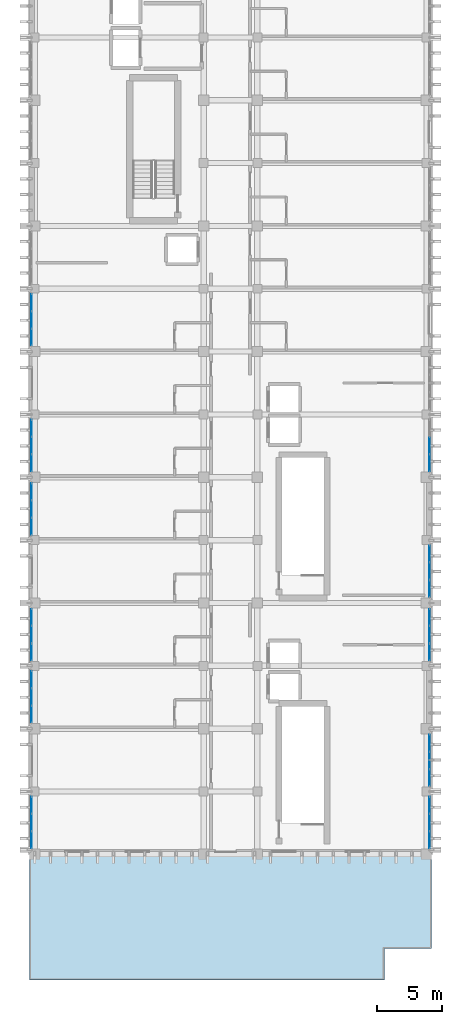
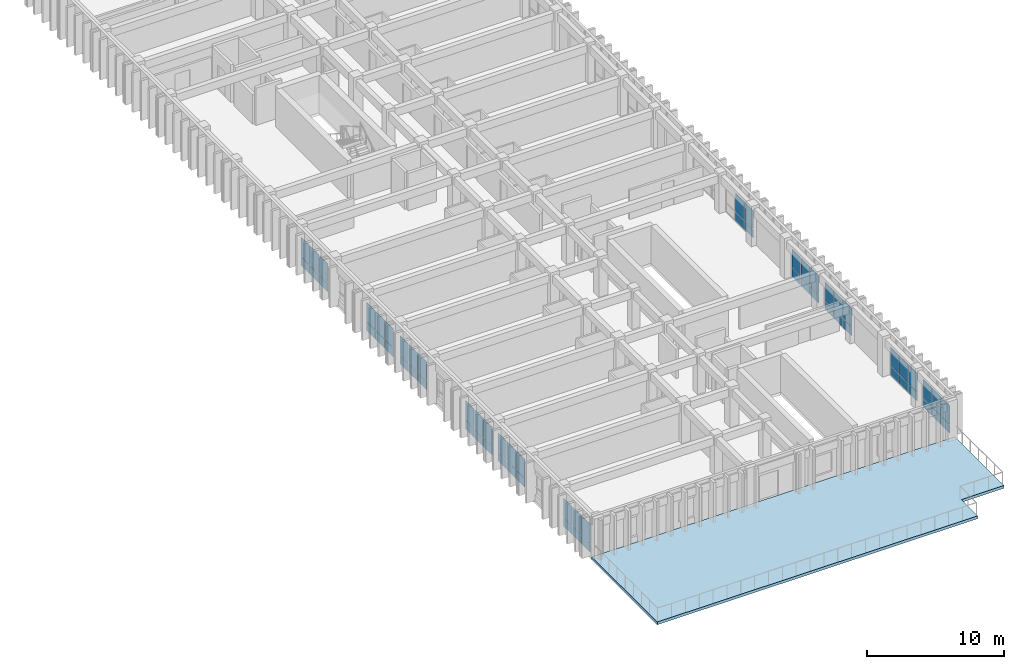
# One storey, part 52 of 68: 64 plates, 1 slab, 11 elements without a shape of their own.
"""IFC4 building model written with IfcOpenShell, lengths in metres."""

import ifcopenshell
import ifcopenshell.guid

model = None  # the IFC model being written
_history = None  # IfcOwnerHistory: only IFC2X3 demands one
_inside = {}  # id of a spatial element -> (the spatial element, [elements in it])
_under = {}  # id of a project, library or spatial element -> (it, [spatial elements below it])
_declared = {}  # id of a project -> (the project, [libraries it declares])
_typed = {}  # id of a type object -> (the type object, [elements of that type])
_made_of = {}  # id of a material, layer set ... -> (it, [elements and type objects made of it])


def new_model(schema):
    """Start an empty IFC model of exactly this schema.

    Asked for "IFC4X3", IfcOpenShell would pick the latest addendum, in which some entities
    have other attributes; the version numbers below select the first issue.
    IFC2X3 requires an IfcOwnerHistory on every rooted entity: one is made here for all.
    """
    global model, _history
    if schema == "IFC4X3":
        model = ifcopenshell.file(schema_version=(4, 3, 0, 0))
    else:
        model = ifcopenshell.file(schema=schema)
    _inside.clear()
    _under.clear()
    _declared.clear()
    _typed.clear()
    _made_of.clear()
    _history = None
    if model.schema == "IFC2X3":
        org = make("IfcOrganization", Name="unknown")
        user = make(
            "IfcPersonAndOrganization",
            ThePerson=make("IfcPerson", FamilyName="unknown"),
            TheOrganization=org,
        )
        app = make(
            "IfcApplication",
            ApplicationDeveloper=org,
            Version="unknown",
            ApplicationFullName="unknown",
            ApplicationIdentifier="unknown",
        )
        _history = make(
            "IfcOwnerHistory",
            OwningUser=user,
            OwningApplication=app,
            ChangeAction="ADDED",
            CreationDate=0,
        )
    return model


def make(cls, **values):
    """One entity of the class cls with the attributes given. An attribute that is None is left unset."""
    return model.create_entity(
        cls, **{name: value for name, value in values.items() if value is not None}
    )


def rooted(cls, **values):
    """An entity with a GlobalId (a new one), such as an element, a storey or a relation."""
    return make(cls, GlobalId=ifcopenshell.guid.new(), OwnerHistory=_history, **values)


def si_unit(unit_type, name, prefix=None):
    """IfcSIUnit, for example si_unit("LENGTHUNIT", "METRE", prefix="MILLI")."""
    return make("IfcSIUnit", UnitType=unit_type, Prefix=prefix, Name=name)


def assignment(units):
    """IfcUnitAssignment: the units of a project."""
    return None if units is None else make("IfcUnitAssignment", Units=units)


def point(xyz):
    """IfcCartesianPoint."""
    return None if xyz is None else make("IfcCartesianPoint", Coordinates=xyz)


def direction(xyz):
    """IfcDirection."""
    return None if xyz is None else make("IfcDirection", DirectionRatios=xyz)


def frame(location, z_axis=None, x_axis=None):
    """IfcAxis2Placement3D, a coordinate frame: its origin and axes. An axis left out is left unset."""
    return make(
        "IfcAxis2Placement3D",
        Location=point(location),
        Axis=direction(z_axis),
        RefDirection=direction(x_axis),
    )


def frame_2d(location, x_axis=None):
    """IfcAxis2Placement2D, a coordinate frame in the plane: its origin and x axis."""
    return make(
        "IfcAxis2Placement2D", Location=point(location), RefDirection=direction(x_axis)
    )


def origin():
    """The frame at (0, 0, 0) with its axes left unset."""
    return frame((0.0, 0.0, 0.0))


def origin_2d():
    """The frame at (0, 0) in the plane with its x axis left unset."""
    return frame_2d((0.0, 0.0))


def place(relative_to, where):
    """IfcLocalPlacement: puts the frame where relative to a parent placement (None: the world)."""
    return make(
        "IfcLocalPlacement", PlacementRelTo=relative_to, RelativePlacement=where
    )


def context(
    kind, dimensions, precision=None, world=None, true_north=None, identifier=None
):
    """IfcGeometricRepresentationContext, for example the 3D "Model" context."""
    return make(
        "IfcGeometricRepresentationContext",
        ContextIdentifier=identifier,
        ContextType=kind,
        CoordinateSpaceDimension=dimensions,
        Precision=precision,
        WorldCoordinateSystem=world,
        TrueNorth=true_north,
    )


def subcontext(parent, identifier, kind, view, scale=None):
    """IfcGeometricRepresentationSubContext, for example "Body" below "Model"."""
    return make(
        "IfcGeometricRepresentationSubContext",
        ContextIdentifier=identifier,
        ContextType=kind,
        ParentContext=parent,
        TargetScale=scale,
        TargetView=view,
    )


def project(units=None, contexts=None):
    """IfcProject with its units and contexts."""
    return rooted(
        "IfcProject",
        Name="project",
        RepresentationContexts=contexts,
        UnitsInContext=assignment(units),
    )


def spatial(cls, under=None, at=None, **own):
    """A site, building, storey or space (cls), placed at a placement, below another one or the project."""
    s = rooted(cls, ObjectPlacement=at, **own)
    if under is not None:
        _under.setdefault(under.id(), (under, []))[1].append(s)
    return s


def polyline(points):
    """IfcPolyline through the points."""
    return make("IfcPolyline", Points=[point(p) for p in points])


def profile(cls, at=None, kind="AREA", **sizes):
    """A parametric profile (cls). Its sizes go by their IFC names, for example OverallWidth=200.0."""
    return make(cls, ProfileType=kind, Position=at, **sizes)


def rectangle(**sizes):
    """IfcRectangleProfileDef."""
    return profile("IfcRectangleProfileDef", **sizes)


def outline(outer, holes=None, kind="AREA"):
    """IfcArbitraryClosedProfileDef: a profile drawn as a closed curve; with holes, ...WithVoids."""
    if holes is None:
        return make("IfcArbitraryClosedProfileDef", ProfileType=kind, OuterCurve=outer)
    return make(
        "IfcArbitraryProfileDefWithVoids",
        ProfileType=kind,
        OuterCurve=outer,
        InnerCurves=holes,
    )


def extrude(swept, where, along, depth):
    """IfcExtrudedAreaSolid: the profile swept, set in the frame where, extruded along a direction by depth."""
    return make(
        "IfcExtrudedAreaSolid",
        SweptArea=swept,
        Position=where,
        ExtrudedDirection=direction(along),
        Depth=depth,
    )


def shape(context_of_items, identifier, shape_type, items):
    """IfcShapeRepresentation: the items that make up one representation, for example the "Body"."""
    return make(
        "IfcShapeRepresentation",
        ContextOfItems=context_of_items,
        RepresentationIdentifier=identifier,
        RepresentationType=shape_type,
        Items=items,
    )


def material(Name=None, Category=None):
    """IfcMaterial."""
    return make("IfcMaterial", Name=Name, Category=Category)


def layer(
    of_material, thickness, ventilated=None, Name=None, Category=None, Priority=None
):
    """IfcMaterialLayer: one layer of a wall or slab, of a material (None: an air gap)."""
    return make(
        "IfcMaterialLayer",
        Material=of_material,
        LayerThickness=thickness,
        IsVentilated=ventilated,
        Name=Name,
        Category=Category,
        Priority=Priority,
    )


def layer_set(layers, Name=None):
    """IfcMaterialLayerSet."""
    return make("IfcMaterialLayerSet", MaterialLayers=layers, LayerSetName=Name)


def made_of(thing, what):
    """Note that an element or type object is made of a material, layer set ...; save() writes the relation."""
    if what is not None:
        _made_of.setdefault(what.id(), (what, []))[1].append(thing)
    return thing


def type_object(cls, material=None, **own):
    """A type object (cls), such as IfcWallType, which elements share."""
    return made_of(rooted(cls, **own), material)


def element(
    cls,
    number,
    at=None,
    inside=None,
    cuts=None,
    type_object=None,
    material=None,
    context=None,
    identifier="Body",
    shape_type=None,
    held_by="IfcProductDefinitionShape",
    body=None,
    shapes=None,
    **own,
):
    """One element of the class cls, such as IfcWall. Its Tag is "e" and its number.

    at: its placement. inside: the storey or other place that contains it. cuts: it is an
    opening in that element (IfcRelVoidsElement). A single representation is given by context,
    identifier, shape_type and body (its items); several are given by shapes. held_by: the class
    of the entity that holds the representations. save() writes the other relations.
    """
    e = rooted(cls, Tag="e%d" % number, ObjectPlacement=at, **own)
    if body is not None:
        shapes = [shape(context, identifier, shape_type, body)]
    if shapes is not None:
        e.Representation = make(held_by, Representations=shapes)
    if inside is not None:
        _inside.setdefault(inside.id(), (inside, []))[1].append(e)
    if cuts is not None:
        rooted(
            "IfcRelVoidsElement", RelatingBuildingElement=cuts, RelatedOpeningElement=e
        )
    if type_object is not None:
        _typed.setdefault(type_object.id(), (type_object, []))[1].append(e)
    return made_of(e, material)


def aggregate(whole, parts):
    """IfcRelAggregates: a whole, such as a stair, and the parts it consists of."""
    return rooted("IfcRelAggregates", RelatingObject=whole, RelatedObjects=parts)


def save(model, path):
    """Write the relations noted so far, then the file.

    IfcRelAggregates (storeys below a building ...), IfcRelContainedInSpatialStructure (elements
    in a storey), IfcRelDefinesByType, IfcRelAssociatesMaterial and IfcRelDeclares: one each for
    every whole, place, type object, material and project.
    """
    for whole, parts in _under.values():
        aggregate(whole, parts)
    for where, things in _inside.values():
        rooted(
            "IfcRelContainedInSpatialStructure",
            RelatedElements=things,
            RelatingStructure=where,
        )
    for kind, things in _typed.values():
        rooted("IfcRelDefinesByType", RelatedObjects=things, RelatingType=kind)
    for what, things in _made_of.values():
        rooted("IfcRelAssociatesMaterial", RelatedObjects=things, RelatingMaterial=what)
    for by, libraries in _declared.values():
        rooted("IfcRelDeclares", RelatingContext=by, RelatedDefinitions=libraries)
    model.write(path)


model = new_model("IFC4")

# Units and contexts
model_context = context("Model", 3, precision=1e-05, world=origin(), true_north=direction((0.0, 1.0)))
body_context = subcontext(model_context, "Body", "Model", "MODEL_VIEW")
ifc_project = project(units=[si_unit("LENGTHUNIT", "METRE"), si_unit("AREAUNIT", "SQUARE_METRE"), si_unit("VOLUMEUNIT", "CUBIC_METRE"), si_unit("PLANEANGLEUNIT", "RADIAN"), si_unit("MASSUNIT", "GRAM", prefix="KILO")], contexts=[model_context])

# Site, building, storey
site_placement = place(None, origin())
site = spatial("IfcSite", under=ifc_project, at=site_placement, CompositionType="ELEMENT")
building_placement = place(site_placement, origin())
building = spatial("IfcBuilding", under=site, at=building_placement, Name="Nakhvara Creek Congress Hotel", CompositionType="ELEMENT")
storey_placement = place(building_placement, frame((0.0, 0.0, 24.60009765625)))
storey = spatial("IfcBuildingStorey", under=building, at=storey_placement, Name="L05", CompositionType="ELEMENT", Elevation=24.60009765625)

# Curtain wall, plates
ifc_material_1 = material(Name="Bronze-anodised aluminium AW-6063-T6 and double-silver low-E glass", Category="aluminium")
ifc_layer_1 = layer(ifc_material_1, 0.199951171875)
ifc_layer_set_1 = layer_set([ifc_layer_1], Name="Bronze-anodised aluminium AW-6063-T6 and double-silver low-E glass")
curtain_wall_type = type_object("IfcCurtainWallType", Name="CW-HTL-UNIT", PredefinedType="USERDEFINED", material=ifc_layer_set_1)
curtain_wall_1_placement = place(storey_placement, origin())
curtain_wall_1 = element("IfcCurtainWall", 1, at=curtain_wall_1_placement, inside=storey, type_object=curtain_wall_type, Name="Curtain Wall CW202", ObjectType="UNITISED", PredefinedType="USERDEFINED")
ifc_material_2 = material(Name="Double-silver solar-control low-E insulated glass", Category="glass")
plate_type_1 = type_object("IfcPlateType", Name="PNL-GLZ-120X250", PredefinedType="CURTAIN_PANEL", material=ifc_material_2)
plate_1_placement = place(storey_placement, frame((179.60009765625, 32.555419921875, 0.06494140625), z_axis=(0.0, 0.0, 1.0), x_axis=(0.0, -1.0, 0.0)))
plate_1 = element("IfcPlate", 2, at=plate_1_placement, type_object=plate_type_1, Name="CW202 panel 1.1", PredefinedType="CURTAIN_PANEL", context=body_context, shape_type="SweptSolid", body=[
    extrude(rectangle(XDim=1.249267578125, YDim=0.028076171875, at=origin_2d()), origin(), (0.0, 0.0, 1.0), 0.75244140625),
])
plate_2_placement = place(storey_placement, frame((179.60009765625, 32.555419921875, 0.88232421875), z_axis=(0.0, 0.0, 1.0), x_axis=(0.0, -1.0, 0.0)))
plate_2 = element("IfcPlate", 3, at=plate_2_placement, type_object=plate_type_1, Name="CW202 panel 1.2", PredefinedType="CURTAIN_PANEL", context=body_context, shape_type="SweptSolid", body=[
    extrude(rectangle(XDim=1.249267578125, YDim=0.028076171875, at=origin_2d()), origin(), (0.0, 0.0, 1.0), 1.634521484375),
])
plate_3_placement = place(storey_placement, frame((179.60009765625, 31.22509765625, 0.06494140625), z_axis=(0.0, 0.0, 1.0), x_axis=(0.0, -1.0, 0.0)))
plate_3 = element("IfcPlate", 4, at=plate_3_placement, type_object=plate_type_1, Name="CW202 panel 2.1", PredefinedType="CURTAIN_PANEL", context=body_context, shape_type="SweptSolid", body=[
    extrude(rectangle(XDim=1.28173828125, YDim=0.028076171875, at=origin_2d()), origin(), (0.0, 0.0, 1.0), 0.75244140625),
])
plate_4_placement = place(storey_placement, frame((179.60009765625, 31.22509765625, 0.88232421875), z_axis=(0.0, 0.0, 1.0), x_axis=(0.0, -1.0, 0.0)))
plate_4 = element("IfcPlate", 5, at=plate_4_placement, type_object=plate_type_1, Name="CW202 panel 2.2", PredefinedType="CURTAIN_PANEL", context=body_context, shape_type="SweptSolid", body=[
    extrude(rectangle(XDim=1.28173828125, YDim=0.028076171875, at=origin_2d()), origin(), (0.0, 0.0, 1.0), 1.634521484375),
])
plate_5_placement = place(storey_placement, frame((179.60009765625, 29.89453125, 0.06494140625), z_axis=(0.0, 0.0, 1.0), x_axis=(0.0, -1.0, 0.0)))
plate_5 = element("IfcPlate", 6, at=plate_5_placement, type_object=plate_type_1, Name="CW202 panel 3.1", PredefinedType="CURTAIN_PANEL", context=body_context, shape_type="SweptSolid", body=[
    extrude(rectangle(XDim=1.249267578125, YDim=0.028076171875, at=origin_2d()), origin(), (0.0, 0.0, 1.0), 0.75244140625),
])
plate_6_placement = place(storey_placement, frame((179.60009765625, 29.89453125, 0.88232421875), z_axis=(0.0, 0.0, 1.0), x_axis=(0.0, -1.0, 0.0)))
plate_6 = element("IfcPlate", 7, at=plate_6_placement, type_object=plate_type_1, Name="CW202 panel 3.2", PredefinedType="CURTAIN_PANEL", context=body_context, shape_type="SweptSolid", body=[
    extrude(rectangle(XDim=1.249267578125, YDim=0.028076171875, at=origin_2d()), origin(), (0.0, 0.0, 1.0), 1.634521484375),
])
aggregate(curtain_wall_1, [plate_1, plate_2, plate_3, plate_4, plate_5, plate_6])

curtain_wall_2_placement = place(storey_placement, origin())
curtain_wall_2 = element("IfcCurtainWall", 8, at=curtain_wall_2_placement, inside=storey, type_object=curtain_wall_type, Name="Curtain Wall CW203", ObjectType="UNITISED", PredefinedType="USERDEFINED")
plate_7_placement = place(storey_placement, frame((149.199951171875, 29.89453125, 0.06494140625), z_axis=(0.0, 0.0, 1.0), x_axis=(0.0, 1.0, 0.0)))
plate_7 = element("IfcPlate", 9, at=plate_7_placement, type_object=plate_type_1, Name="CW203 panel 1.1", PredefinedType="CURTAIN_PANEL", context=body_context, shape_type="SweptSolid", body=[
    extrude(rectangle(XDim=1.249267578125, YDim=0.028076171875, at=origin_2d()), origin(), (0.0, 0.0, 1.0), 0.75244140625),
])
plate_8_placement = place(storey_placement, frame((149.199951171875, 29.89453125, 0.88232421875), z_axis=(0.0, 0.0, 1.0), x_axis=(0.0, 1.0, 0.0)))
plate_8 = element("IfcPlate", 10, at=plate_8_placement, type_object=plate_type_1, Name="CW203 panel 1.2", PredefinedType="CURTAIN_PANEL", context=body_context, shape_type="SweptSolid", body=[
    extrude(rectangle(XDim=1.249267578125, YDim=0.028076171875, at=origin_2d()), origin(), (0.0, 0.0, 1.0), 1.6845703125),
])
plate_9_placement = place(storey_placement, frame((149.199951171875, 31.22509765625, 0.06494140625), z_axis=(0.0, 0.0, 1.0), x_axis=(0.0, 1.0, 0.0)))
plate_9 = element("IfcPlate", 11, at=plate_9_placement, type_object=plate_type_1, Name="CW203 panel 2.1", PredefinedType="CURTAIN_PANEL", context=body_context, shape_type="SweptSolid", body=[
    extrude(rectangle(XDim=1.28173828125, YDim=0.028076171875, at=origin_2d()), origin(), (0.0, 0.0, 1.0), 0.75244140625),
])
plate_10_placement = place(storey_placement, frame((149.199951171875, 31.22509765625, 0.88232421875), z_axis=(0.0, 0.0, 1.0), x_axis=(0.0, 1.0, 0.0)))
plate_10 = element("IfcPlate", 12, at=plate_10_placement, type_object=plate_type_1, Name="CW203 panel 2.2", PredefinedType="CURTAIN_PANEL", context=body_context, shape_type="SweptSolid", body=[
    extrude(rectangle(XDim=1.28173828125, YDim=0.028076171875, at=origin_2d()), origin(), (0.0, 0.0, 1.0), 1.6845703125),
])
plate_11_placement = place(storey_placement, frame((149.199951171875, 32.555419921875, 0.06494140625), z_axis=(0.0, 0.0, 1.0), x_axis=(0.0, 1.0, 0.0)))
plate_11 = element("IfcPlate", 13, at=plate_11_placement, type_object=plate_type_1, Name="CW203 panel 3.1", PredefinedType="CURTAIN_PANEL", context=body_context, shape_type="SweptSolid", body=[
    extrude(rectangle(XDim=1.249267578125, YDim=0.028076171875, at=origin_2d()), origin(), (0.0, 0.0, 1.0), 0.75244140625),
])
plate_12_placement = place(storey_placement, frame((149.199951171875, 32.555419921875, 0.88232421875), z_axis=(0.0, 0.0, 1.0), x_axis=(0.0, 1.0, 0.0)))
plate_12 = element("IfcPlate", 14, at=plate_12_placement, type_object=plate_type_1, Name="CW203 panel 3.2", PredefinedType="CURTAIN_PANEL", context=body_context, shape_type="SweptSolid", body=[
    extrude(rectangle(XDim=1.249267578125, YDim=0.028076171875, at=origin_2d()), origin(), (0.0, 0.0, 1.0), 1.6845703125),
])
aggregate(curtain_wall_2, [plate_7, plate_8, plate_9, plate_10, plate_11, plate_12])

curtain_wall_3_placement = place(storey_placement, origin())
curtain_wall_3 = element("IfcCurtainWall", 15, at=curtain_wall_3_placement, inside=storey, type_object=curtain_wall_type, Name="Curtain Wall CW205", ObjectType="UNITISED", PredefinedType="USERDEFINED")
plate_13_placement = place(storey_placement, frame((149.199951171875, 39.49462890625, 0.06494140625), z_axis=(0.0, 0.0, 1.0), x_axis=(0.0, 1.0, 0.0)))
plate_13 = element("IfcPlate", 16, at=plate_13_placement, type_object=plate_type_1, Name="CW205 panel 1.1", PredefinedType="CURTAIN_PANEL", context=body_context, shape_type="SweptSolid", body=[
    extrude(rectangle(XDim=1.249267578125, YDim=0.028076171875, at=origin_2d()), origin(), (0.0, 0.0, 1.0), 0.75244140625),
])
plate_14_placement = place(storey_placement, frame((149.199951171875, 39.49462890625, 0.88232421875), z_axis=(0.0, 0.0, 1.0), x_axis=(0.0, 1.0, 0.0)))
plate_14 = element("IfcPlate", 17, at=plate_14_placement, type_object=plate_type_1, Name="CW205 panel 1.2", PredefinedType="CURTAIN_PANEL", context=body_context, shape_type="SweptSolid", body=[
    extrude(rectangle(XDim=1.249267578125, YDim=0.028076171875, at=origin_2d()), origin(), (0.0, 0.0, 1.0), 1.6845703125),
])
plate_15_placement = place(storey_placement, frame((149.199951171875, 40.824951171875, 0.06494140625), z_axis=(0.0, 0.0, 1.0), x_axis=(0.0, 1.0, 0.0)))
plate_15 = element("IfcPlate", 18, at=plate_15_placement, type_object=plate_type_1, Name="CW205 panel 2.1", PredefinedType="CURTAIN_PANEL", context=body_context, shape_type="SweptSolid", body=[
    extrude(rectangle(XDim=1.28173828125, YDim=0.028076171875, at=origin_2d()), origin(), (0.0, 0.0, 1.0), 0.75244140625),
])
plate_16_placement = place(storey_placement, frame((149.199951171875, 40.824951171875, 0.88232421875), z_axis=(0.0, 0.0, 1.0), x_axis=(0.0, 1.0, 0.0)))
plate_16 = element("IfcPlate", 19, at=plate_16_placement, type_object=plate_type_1, Name="CW205 panel 2.2", PredefinedType="CURTAIN_PANEL", context=body_context, shape_type="SweptSolid", body=[
    extrude(rectangle(XDim=1.28173828125, YDim=0.028076171875, at=origin_2d()), origin(), (0.0, 0.0, 1.0), 1.6845703125),
])
plate_17_placement = place(storey_placement, frame((149.199951171875, 42.155517578125, 0.06494140625), z_axis=(0.0, 0.0, 1.0), x_axis=(0.0, 1.0, 0.0)))
plate_17 = element("IfcPlate", 20, at=plate_17_placement, type_object=plate_type_1, Name="CW205 panel 3.1", PredefinedType="CURTAIN_PANEL", context=body_context, shape_type="SweptSolid", body=[
    extrude(rectangle(XDim=1.249267578125, YDim=0.028076171875, at=origin_2d()), origin(), (0.0, 0.0, 1.0), 0.75244140625),
])
plate_18_placement = place(storey_placement, frame((149.199951171875, 42.155517578125, 0.88232421875), z_axis=(0.0, 0.0, 1.0), x_axis=(0.0, 1.0, 0.0)))
plate_18 = element("IfcPlate", 21, at=plate_18_placement, type_object=plate_type_1, Name="CW205 panel 3.2", PredefinedType="CURTAIN_PANEL", context=body_context, shape_type="SweptSolid", body=[
    extrude(rectangle(XDim=1.249267578125, YDim=0.028076171875, at=origin_2d()), origin(), (0.0, 0.0, 1.0), 1.6845703125),
])
aggregate(curtain_wall_3, [plate_13, plate_14, plate_15, plate_16, plate_17, plate_18])

curtain_wall_4_placement = place(storey_placement, origin())
curtain_wall_4 = element("IfcCurtainWall", 22, at=curtain_wall_4_placement, inside=storey, type_object=curtain_wall_type, Name="Curtain Wall CW206", ObjectType="UNITISED", PredefinedType="USERDEFINED")
plate_19_placement = place(storey_placement, frame((179.60009765625, 46.905517578125, 0.06494140625), z_axis=(0.0, 0.0, 1.0), x_axis=(0.0, -1.0, 0.0)))
plate_19 = element("IfcPlate", 23, at=plate_19_placement, type_object=plate_type_1, Name="CW206 panel 1.1", PredefinedType="CURTAIN_PANEL", context=body_context, shape_type="SweptSolid", body=[
    extrude(rectangle(XDim=1.249267578125, YDim=0.028076171875, at=origin_2d()), origin(), (0.0, 0.0, 1.0), 0.75244140625),
])
plate_20_placement = place(storey_placement, frame((179.60009765625, 46.905517578125, 0.88232421875), z_axis=(0.0, 0.0, 1.0), x_axis=(0.0, -1.0, 0.0)))
plate_20 = element("IfcPlate", 24, at=plate_20_placement, type_object=plate_type_1, Name="CW206 panel 1.2", PredefinedType="CURTAIN_PANEL", context=body_context, shape_type="SweptSolid", body=[
    extrude(rectangle(XDim=1.249267578125, YDim=0.028076171875, at=origin_2d()), origin(), (0.0, 0.0, 1.0), 1.634521484375),
])
plate_21_placement = place(storey_placement, frame((179.60009765625, 45.574951171875, 0.06494140625), z_axis=(0.0, 0.0, 1.0), x_axis=(0.0, -1.0, 0.0)))
plate_21 = element("IfcPlate", 25, at=plate_21_placement, type_object=plate_type_1, Name="CW206 panel 2.1", PredefinedType="CURTAIN_PANEL", context=body_context, shape_type="SweptSolid", body=[
    extrude(rectangle(XDim=1.28173828125, YDim=0.028076171875, at=origin_2d()), origin(), (0.0, 0.0, 1.0), 0.75244140625),
])
plate_22_placement = place(storey_placement, frame((179.60009765625, 45.574951171875, 0.88232421875), z_axis=(0.0, 0.0, 1.0), x_axis=(0.0, -1.0, 0.0)))
plate_22 = element("IfcPlate", 26, at=plate_22_placement, type_object=plate_type_1, Name="CW206 panel 2.2", PredefinedType="CURTAIN_PANEL", context=body_context, shape_type="SweptSolid", body=[
    extrude(rectangle(XDim=1.28173828125, YDim=0.028076171875, at=origin_2d()), origin(), (0.0, 0.0, 1.0), 1.634521484375),
])
plate_23_placement = place(storey_placement, frame((179.60009765625, 44.24462890625, 0.06494140625), z_axis=(0.0, 0.0, 1.0), x_axis=(0.0, -1.0, 0.0)))
plate_23 = element("IfcPlate", 27, at=plate_23_placement, type_object=plate_type_1, Name="CW206 panel 3.1", PredefinedType="CURTAIN_PANEL", context=body_context, shape_type="SweptSolid", body=[
    extrude(rectangle(XDim=1.249267578125, YDim=0.028076171875, at=origin_2d()), origin(), (0.0, 0.0, 1.0), 0.75244140625),
])
plate_24_placement = place(storey_placement, frame((179.60009765625, 44.24462890625, 0.88232421875), z_axis=(0.0, 0.0, 1.0), x_axis=(0.0, -1.0, 0.0)))
plate_24 = element("IfcPlate", 28, at=plate_24_placement, type_object=plate_type_1, Name="CW206 panel 3.2", PredefinedType="CURTAIN_PANEL", context=body_context, shape_type="SweptSolid", body=[
    extrude(rectangle(XDim=1.249267578125, YDim=0.028076171875, at=origin_2d()), origin(), (0.0, 0.0, 1.0), 1.634521484375),
])
aggregate(curtain_wall_4, [plate_19, plate_20, plate_21, plate_22, plate_23, plate_24])

curtain_wall_5_placement = place(storey_placement, origin())
curtain_wall_5 = element("IfcCurtainWall", 29, at=curtain_wall_5_placement, inside=storey, type_object=curtain_wall_type, Name="Curtain Wall CW207", ObjectType="UNITISED", PredefinedType="USERDEFINED")
plate_25_placement = place(storey_placement, frame((149.199951171875, 44.24462890625, 0.06494140625), z_axis=(0.0, 0.0, 1.0), x_axis=(0.0, 1.0, 0.0)))
plate_25 = element("IfcPlate", 30, at=plate_25_placement, type_object=plate_type_1, Name="CW207 panel 1.1", PredefinedType="CURTAIN_PANEL", context=body_context, shape_type="SweptSolid", body=[
    extrude(rectangle(XDim=1.249267578125, YDim=0.028076171875, at=origin_2d()), origin(), (0.0, 0.0, 1.0), 0.75244140625),
])
plate_26_placement = place(storey_placement, frame((149.199951171875, 44.24462890625, 0.88232421875), z_axis=(0.0, 0.0, 1.0), x_axis=(0.0, 1.0, 0.0)))
plate_26 = element("IfcPlate", 31, at=plate_26_placement, type_object=plate_type_1, Name="CW207 panel 1.2", PredefinedType="CURTAIN_PANEL", context=body_context, shape_type="SweptSolid", body=[
    extrude(rectangle(XDim=1.249267578125, YDim=0.028076171875, at=origin_2d()), origin(), (0.0, 0.0, 1.0), 1.6845703125),
])
plate_27_placement = place(storey_placement, frame((149.199951171875, 45.574951171875, 0.06494140625), z_axis=(0.0, 0.0, 1.0), x_axis=(0.0, 1.0, 0.0)))
plate_27 = element("IfcPlate", 32, at=plate_27_placement, type_object=plate_type_1, Name="CW207 panel 2.1", PredefinedType="CURTAIN_PANEL", context=body_context, shape_type="SweptSolid", body=[
    extrude(rectangle(XDim=1.28173828125, YDim=0.028076171875, at=origin_2d()), origin(), (0.0, 0.0, 1.0), 0.75244140625),
])
plate_28_placement = place(storey_placement, frame((149.199951171875, 45.574951171875, 0.88232421875), z_axis=(0.0, 0.0, 1.0), x_axis=(0.0, 1.0, 0.0)))
plate_28 = element("IfcPlate", 33, at=plate_28_placement, type_object=plate_type_1, Name="CW207 panel 2.2", PredefinedType="CURTAIN_PANEL", context=body_context, shape_type="SweptSolid", body=[
    extrude(rectangle(XDim=1.28173828125, YDim=0.028076171875, at=origin_2d()), origin(), (0.0, 0.0, 1.0), 1.6845703125),
])
plate_29_placement = place(storey_placement, frame((149.199951171875, 46.905517578125, 0.06494140625), z_axis=(0.0, 0.0, 1.0), x_axis=(0.0, 1.0, 0.0)))
plate_29 = element("IfcPlate", 34, at=plate_29_placement, type_object=plate_type_1, Name="CW207 panel 3.1", PredefinedType="CURTAIN_PANEL", context=body_context, shape_type="SweptSolid", body=[
    extrude(rectangle(XDim=1.249267578125, YDim=0.028076171875, at=origin_2d()), origin(), (0.0, 0.0, 1.0), 0.75244140625),
])
plate_30_placement = place(storey_placement, frame((149.199951171875, 46.905517578125, 0.88232421875), z_axis=(0.0, 0.0, 1.0), x_axis=(0.0, 1.0, 0.0)))
plate_30 = element("IfcPlate", 35, at=plate_30_placement, type_object=plate_type_1, Name="CW207 panel 3.2", PredefinedType="CURTAIN_PANEL", context=body_context, shape_type="SweptSolid", body=[
    extrude(rectangle(XDim=1.249267578125, YDim=0.028076171875, at=origin_2d()), origin(), (0.0, 0.0, 1.0), 1.6845703125),
])
aggregate(curtain_wall_5, [plate_25, plate_26, plate_27, plate_28, plate_29, plate_30])

curtain_wall_6_placement = place(storey_placement, origin())
curtain_wall_6 = element("IfcCurtainWall", 36, at=curtain_wall_6_placement, inside=storey, type_object=curtain_wall_type, Name="Curtain Wall CW208", ObjectType="UNITISED", PredefinedType="USERDEFINED")
plate_31_placement = place(storey_placement, frame((179.60009765625, 51.75537109375, 0.06494140625), z_axis=(0.0, 0.0, 1.0), x_axis=(0.0, -1.0, 0.0)))
plate_31 = element("IfcPlate", 37, at=plate_31_placement, type_object=plate_type_1, Name="CW208 panel 1.1", PredefinedType="CURTAIN_PANEL", context=body_context, shape_type="SweptSolid", body=[
    extrude(rectangle(XDim=1.249267578125, YDim=0.028076171875, at=origin_2d()), origin(), (0.0, 0.0, 1.0), 0.75244140625),
])
plate_32_placement = place(storey_placement, frame((179.60009765625, 51.75537109375, 0.88232421875), z_axis=(0.0, 0.0, 1.0), x_axis=(0.0, -1.0, 0.0)))
plate_32 = element("IfcPlate", 38, at=plate_32_placement, type_object=plate_type_1, Name="CW208 panel 1.2", PredefinedType="CURTAIN_PANEL", context=body_context, shape_type="SweptSolid", body=[
    extrude(rectangle(XDim=1.249267578125, YDim=0.028076171875, at=origin_2d()), origin(), (0.0, 0.0, 1.0), 1.634521484375),
])
plate_33_placement = place(storey_placement, frame((179.60009765625, 50.425048828125, 0.06494140625), z_axis=(0.0, 0.0, 1.0), x_axis=(0.0, -1.0, 0.0)))
plate_33 = element("IfcPlate", 39, at=plate_33_placement, type_object=plate_type_1, Name="CW208 panel 2.1", PredefinedType="CURTAIN_PANEL", context=body_context, shape_type="SweptSolid", body=[
    extrude(rectangle(XDim=1.28173828125, YDim=0.028076171875, at=origin_2d()), origin(), (0.0, 0.0, 1.0), 0.75244140625),
])
plate_34_placement = place(storey_placement, frame((179.60009765625, 50.425048828125, 0.88232421875), z_axis=(0.0, 0.0, 1.0), x_axis=(0.0, -1.0, 0.0)))
plate_34 = element("IfcPlate", 40, at=plate_34_placement, type_object=plate_type_1, Name="CW208 panel 2.2", PredefinedType="CURTAIN_PANEL", context=body_context, shape_type="SweptSolid", body=[
    extrude(rectangle(XDim=1.28173828125, YDim=0.028076171875, at=origin_2d()), origin(), (0.0, 0.0, 1.0), 1.634521484375),
])
plate_35_placement = place(storey_placement, frame((179.60009765625, 49.094482421875, 0.06494140625), z_axis=(0.0, 0.0, 1.0), x_axis=(0.0, -1.0, 0.0)))
plate_35 = element("IfcPlate", 41, at=plate_35_placement, type_object=plate_type_1, Name="CW208 panel 3.1", PredefinedType="CURTAIN_PANEL", context=body_context, shape_type="SweptSolid", body=[
    extrude(rectangle(XDim=1.249267578125, YDim=0.028076171875, at=origin_2d()), origin(), (0.0, 0.0, 1.0), 0.75244140625),
])
plate_36_placement = place(storey_placement, frame((179.60009765625, 49.094482421875, 0.88232421875), z_axis=(0.0, 0.0, 1.0), x_axis=(0.0, -1.0, 0.0)))
plate_36 = element("IfcPlate", 42, at=plate_36_placement, type_object=plate_type_1, Name="CW208 panel 3.2", PredefinedType="CURTAIN_PANEL", context=body_context, shape_type="SweptSolid", body=[
    extrude(rectangle(XDim=1.249267578125, YDim=0.028076171875, at=origin_2d()), origin(), (0.0, 0.0, 1.0), 1.634521484375),
])
aggregate(curtain_wall_6, [plate_31, plate_32, plate_33, plate_34, plate_35, plate_36])

curtain_wall_7_placement = place(storey_placement, origin())
curtain_wall_7 = element("IfcCurtainWall", 43, at=curtain_wall_7_placement, inside=storey, type_object=curtain_wall_type, Name="Curtain Wall CW209", ObjectType="UNITISED", PredefinedType="USERDEFINED")
plate_37_placement = place(storey_placement, frame((149.199951171875, 53.844482421875, 0.06494140625), z_axis=(0.0, 0.0, 1.0), x_axis=(0.0, 1.0, 0.0)))
plate_37 = element("IfcPlate", 44, at=plate_37_placement, type_object=plate_type_1, Name="CW209 panel 1.1", PredefinedType="CURTAIN_PANEL", context=body_context, shape_type="SweptSolid", body=[
    extrude(rectangle(XDim=1.249267578125, YDim=0.028076171875, at=origin_2d()), origin(), (0.0, 0.0, 1.0), 0.75244140625),
])
plate_38_placement = place(storey_placement, frame((149.199951171875, 53.844482421875, 0.88232421875), z_axis=(0.0, 0.0, 1.0), x_axis=(0.0, 1.0, 0.0)))
plate_38 = element("IfcPlate", 45, at=plate_38_placement, type_object=plate_type_1, Name="CW209 panel 1.2", PredefinedType="CURTAIN_PANEL", context=body_context, shape_type="SweptSolid", body=[
    extrude(rectangle(XDim=1.249267578125, YDim=0.028076171875, at=origin_2d()), origin(), (0.0, 0.0, 1.0), 1.6845703125),
])
plate_39_placement = place(storey_placement, frame((149.199951171875, 55.175048828125, 0.06494140625), z_axis=(0.0, 0.0, 1.0), x_axis=(0.0, 1.0, 0.0)))
plate_39 = element("IfcPlate", 46, at=plate_39_placement, type_object=plate_type_1, Name="CW209 panel 2.1", PredefinedType="CURTAIN_PANEL", context=body_context, shape_type="SweptSolid", body=[
    extrude(rectangle(XDim=1.28173828125, YDim=0.028076171875, at=origin_2d()), origin(), (0.0, 0.0, 1.0), 0.75244140625),
])
plate_40_placement = place(storey_placement, frame((149.199951171875, 55.175048828125, 0.88232421875), z_axis=(0.0, 0.0, 1.0), x_axis=(0.0, 1.0, 0.0)))
plate_40 = element("IfcPlate", 47, at=plate_40_placement, type_object=plate_type_1, Name="CW209 panel 2.2", PredefinedType="CURTAIN_PANEL", context=body_context, shape_type="SweptSolid", body=[
    extrude(rectangle(XDim=1.28173828125, YDim=0.028076171875, at=origin_2d()), origin(), (0.0, 0.0, 1.0), 1.6845703125),
])
plate_41_placement = place(storey_placement, frame((149.199951171875, 56.50537109375, 0.06494140625), z_axis=(0.0, 0.0, 1.0), x_axis=(0.0, 1.0, 0.0)))
plate_41 = element("IfcPlate", 48, at=plate_41_placement, type_object=plate_type_1, Name="CW209 panel 3.1", PredefinedType="CURTAIN_PANEL", context=body_context, shape_type="SweptSolid", body=[
    extrude(rectangle(XDim=1.249267578125, YDim=0.028076171875, at=origin_2d()), origin(), (0.0, 0.0, 1.0), 0.75244140625),
])
plate_42_placement = place(storey_placement, frame((149.199951171875, 56.50537109375, 0.88232421875), z_axis=(0.0, 0.0, 1.0), x_axis=(0.0, 1.0, 0.0)))
plate_42 = element("IfcPlate", 49, at=plate_42_placement, type_object=plate_type_1, Name="CW209 panel 3.2", PredefinedType="CURTAIN_PANEL", context=body_context, shape_type="SweptSolid", body=[
    extrude(rectangle(XDim=1.249267578125, YDim=0.028076171875, at=origin_2d()), origin(), (0.0, 0.0, 1.0), 1.6845703125),
])
aggregate(curtain_wall_7, [plate_37, plate_38, plate_39, plate_40, plate_41, plate_42])

curtain_wall_8_placement = place(storey_placement, origin())
curtain_wall_8 = element("IfcCurtainWall", 50, at=curtain_wall_8_placement, inside=storey, type_object=curtain_wall_type, Name="Curtain Wall CW210", ObjectType="UNITISED", PredefinedType="USERDEFINED")
plate_43_placement = place(storey_placement, frame((179.60009765625, 60.02490234375, 0.06494140625), z_axis=(0.0, 0.0, 1.0), x_axis=(0.0, -1.0, 0.0)))
plate_43 = element("IfcPlate", 51, at=plate_43_placement, type_object=plate_type_1, Name="CW210 panel 2.1", PredefinedType="CURTAIN_PANEL", context=body_context, shape_type="SweptSolid", body=[
    extrude(rectangle(XDim=1.28173828125, YDim=0.028076171875, at=origin_2d()), origin(), (0.0, 0.0, 1.0), 0.75244140625),
])
plate_44_placement = place(storey_placement, frame((179.60009765625, 60.02490234375, 0.88232421875), z_axis=(0.0, 0.0, 1.0), x_axis=(0.0, -1.0, 0.0)))
plate_44 = element("IfcPlate", 52, at=plate_44_placement, type_object=plate_type_1, Name="CW210 panel 2.2", PredefinedType="CURTAIN_PANEL", context=body_context, shape_type="SweptSolid", body=[
    extrude(rectangle(XDim=1.28173828125, YDim=0.028076171875, at=origin_2d()), origin(), (0.0, 0.0, 1.0), 1.634521484375),
])
plate_45_placement = place(storey_placement, frame((179.60009765625, 58.694580078125, 0.06494140625), z_axis=(0.0, 0.0, 1.0), x_axis=(0.0, -1.0, 0.0)))
plate_45 = element("IfcPlate", 53, at=plate_45_placement, type_object=plate_type_1, Name="CW210 panel 3.1", PredefinedType="CURTAIN_PANEL", context=body_context, shape_type="SweptSolid", body=[
    extrude(rectangle(XDim=1.249267578125, YDim=0.028076171875, at=origin_2d()), origin(), (0.0, 0.0, 1.0), 0.75244140625),
])
plate_46_placement = place(storey_placement, frame((179.60009765625, 58.694580078125, 0.88232421875), z_axis=(0.0, 0.0, 1.0), x_axis=(0.0, -1.0, 0.0)))
plate_46 = element("IfcPlate", 54, at=plate_46_placement, type_object=plate_type_1, Name="CW210 panel 3.2", PredefinedType="CURTAIN_PANEL", context=body_context, shape_type="SweptSolid", body=[
    extrude(rectangle(XDim=1.249267578125, YDim=0.028076171875, at=origin_2d()), origin(), (0.0, 0.0, 1.0), 1.634521484375),
])
aggregate(curtain_wall_8, [plate_43, plate_44, plate_45, plate_46])

curtain_wall_9_placement = place(storey_placement, origin())
curtain_wall_9 = element("IfcCurtainWall", 55, at=curtain_wall_9_placement, inside=storey, type_object=curtain_wall_type, Name="Curtain Wall CW211", ObjectType="UNITISED", PredefinedType="USERDEFINED")
plate_47_placement = place(storey_placement, frame((149.199951171875, 58.694580078125, 0.06494140625), z_axis=(0.0, 0.0, 1.0), x_axis=(0.0, 1.0, 0.0)))
plate_47 = element("IfcPlate", 56, at=plate_47_placement, type_object=plate_type_1, Name="CW211 panel 1.1", PredefinedType="CURTAIN_PANEL", context=body_context, shape_type="SweptSolid", body=[
    extrude(rectangle(XDim=1.249267578125, YDim=0.028076171875, at=origin_2d()), origin(), (0.0, 0.0, 1.0), 0.75244140625),
])
plate_48_placement = place(storey_placement, frame((149.199951171875, 58.694580078125, 0.88232421875), z_axis=(0.0, 0.0, 1.0), x_axis=(0.0, 1.0, 0.0)))
plate_48 = element("IfcPlate", 57, at=plate_48_placement, type_object=plate_type_1, Name="CW211 panel 1.2", PredefinedType="CURTAIN_PANEL", context=body_context, shape_type="SweptSolid", body=[
    extrude(rectangle(XDim=1.249267578125, YDim=0.028076171875, at=origin_2d()), origin(), (0.0, 0.0, 1.0), 1.6845703125),
])
plate_49_placement = place(storey_placement, frame((149.199951171875, 60.02490234375, 0.06494140625), z_axis=(0.0, 0.0, 1.0), x_axis=(0.0, 1.0, 0.0)))
plate_49 = element("IfcPlate", 58, at=plate_49_placement, type_object=plate_type_1, Name="CW211 panel 2.1", PredefinedType="CURTAIN_PANEL", context=body_context, shape_type="SweptSolid", body=[
    extrude(rectangle(XDim=1.28173828125, YDim=0.028076171875, at=origin_2d()), origin(), (0.0, 0.0, 1.0), 0.75244140625),
])
plate_50_placement = place(storey_placement, frame((149.199951171875, 60.02490234375, 0.88232421875), z_axis=(0.0, 0.0, 1.0), x_axis=(0.0, 1.0, 0.0)))
plate_50 = element("IfcPlate", 59, at=plate_50_placement, type_object=plate_type_1, Name="CW211 panel 2.2", PredefinedType="CURTAIN_PANEL", context=body_context, shape_type="SweptSolid", body=[
    extrude(rectangle(XDim=1.28173828125, YDim=0.028076171875, at=origin_2d()), origin(), (0.0, 0.0, 1.0), 1.6845703125),
])
plate_51_placement = place(storey_placement, frame((149.199951171875, 61.35546875, 0.06494140625), z_axis=(0.0, 0.0, 1.0), x_axis=(0.0, 1.0, 0.0)))
plate_51 = element("IfcPlate", 60, at=plate_51_placement, type_object=plate_type_1, Name="CW211 panel 3.1", PredefinedType="CURTAIN_PANEL", context=body_context, shape_type="SweptSolid", body=[
    extrude(rectangle(XDim=1.249267578125, YDim=0.028076171875, at=origin_2d()), origin(), (0.0, 0.0, 1.0), 0.75244140625),
])
plate_52_placement = place(storey_placement, frame((149.199951171875, 61.35546875, 0.88232421875), z_axis=(0.0, 0.0, 1.0), x_axis=(0.0, 1.0, 0.0)))
plate_52 = element("IfcPlate", 61, at=plate_52_placement, type_object=plate_type_1, Name="CW211 panel 3.2", PredefinedType="CURTAIN_PANEL", context=body_context, shape_type="SweptSolid", body=[
    extrude(rectangle(XDim=1.249267578125, YDim=0.028076171875, at=origin_2d()), origin(), (0.0, 0.0, 1.0), 1.6845703125),
])
aggregate(curtain_wall_9, [plate_47, plate_48, plate_49, plate_50, plate_51, plate_52])

curtain_wall_10_placement = place(storey_placement, origin())
curtain_wall_10 = element("IfcCurtainWall", 62, at=curtain_wall_10_placement, inside=storey, type_object=curtain_wall_type, Name="Curtain Wall CW213", ObjectType="UNITISED", PredefinedType="USERDEFINED")
plate_53_placement = place(storey_placement, frame((149.199951171875, 68.294677734375, 0.06494140625), z_axis=(0.0, 0.0, 1.0), x_axis=(0.0, 1.0, 0.0)))
plate_53 = element("IfcPlate", 63, at=plate_53_placement, type_object=plate_type_1, Name="CW213 panel 1.1", PredefinedType="CURTAIN_PANEL", context=body_context, shape_type="SweptSolid", body=[
    extrude(rectangle(XDim=1.249267578125, YDim=0.028076171875, at=origin_2d()), origin(), (0.0, 0.0, 1.0), 0.75244140625),
])
plate_54_placement = place(storey_placement, frame((149.199951171875, 68.294677734375, 0.88232421875), z_axis=(0.0, 0.0, 1.0), x_axis=(0.0, 1.0, 0.0)))
plate_54 = element("IfcPlate", 64, at=plate_54_placement, type_object=plate_type_1, Name="CW213 panel 1.2", PredefinedType="CURTAIN_PANEL", context=body_context, shape_type="SweptSolid", body=[
    extrude(rectangle(XDim=1.249267578125, YDim=0.028076171875, at=origin_2d()), origin(), (0.0, 0.0, 1.0), 1.6845703125),
])
plate_55_placement = place(storey_placement, frame((149.199951171875, 69.625, 0.06494140625), z_axis=(0.0, 0.0, 1.0), x_axis=(0.0, 1.0, 0.0)))
plate_55 = element("IfcPlate", 65, at=plate_55_placement, type_object=plate_type_1, Name="CW213 panel 2.1", PredefinedType="CURTAIN_PANEL", context=body_context, shape_type="SweptSolid", body=[
    extrude(rectangle(XDim=1.28173828125, YDim=0.028076171875, at=origin_2d()), origin(), (0.0, 0.0, 1.0), 0.75244140625),
])
plate_56_placement = place(storey_placement, frame((149.199951171875, 69.625, 0.88232421875), z_axis=(0.0, 0.0, 1.0), x_axis=(0.0, 1.0, 0.0)))
plate_56 = element("IfcPlate", 66, at=plate_56_placement, type_object=plate_type_1, Name="CW213 panel 2.2", PredefinedType="CURTAIN_PANEL", context=body_context, shape_type="SweptSolid", body=[
    extrude(rectangle(XDim=1.28173828125, YDim=0.028076171875, at=origin_2d()), origin(), (0.0, 0.0, 1.0), 1.6845703125),
])
plate_57_placement = place(storey_placement, frame((149.199951171875, 70.955322265625, 0.06494140625), z_axis=(0.0, 0.0, 1.0), x_axis=(0.0, 1.0, 0.0)))
plate_57 = element("IfcPlate", 67, at=plate_57_placement, type_object=plate_type_1, Name="CW213 panel 3.1", PredefinedType="CURTAIN_PANEL", context=body_context, shape_type="SweptSolid", body=[
    extrude(rectangle(XDim=1.249267578125, YDim=0.028076171875, at=origin_2d()), origin(), (0.0, 0.0, 1.0), 0.75244140625),
])
plate_58_placement = place(storey_placement, frame((149.199951171875, 70.955322265625, 0.88232421875), z_axis=(0.0, 0.0, 1.0), x_axis=(0.0, 1.0, 0.0)))
plate_58 = element("IfcPlate", 68, at=plate_58_placement, type_object=plate_type_1, Name="CW213 panel 3.2", PredefinedType="CURTAIN_PANEL", context=body_context, shape_type="SweptSolid", body=[
    extrude(rectangle(XDim=1.249267578125, YDim=0.028076171875, at=origin_2d()), origin(), (0.0, 0.0, 1.0), 1.6845703125),
])
aggregate(curtain_wall_10, [plate_53, plate_54, plate_55, plate_56, plate_57, plate_58])

curtain_wall_11_placement = place(storey_placement, origin())
curtain_wall_11 = element("IfcCurtainWall", 69, at=curtain_wall_11_placement, inside=storey, type_object=curtain_wall_type, Name="Curtain Wall CW204", ObjectType="UNITISED", PredefinedType="USERDEFINED")
ifc_material_3 = material(Name="Back-insulated bronze spandrel glass panel", Category="glass")
plate_type_2 = type_object("IfcPlateType", Name="PNL-SPN-120X080", PredefinedType="CURTAIN_PANEL", material=ifc_material_3)
plate_59_placement = place(storey_placement, frame((179.60009765625, 37.305419921875, 0.06494140625), z_axis=(0.0, 0.0, 1.0), x_axis=(0.0, -1.0, 0.0)))
plate_59 = element("IfcPlate", 70, at=plate_59_placement, type_object=plate_type_2, Name="CW204 panel 1.1", PredefinedType="CURTAIN_PANEL", context=body_context, shape_type="SweptSolid", body=[
    extrude(rectangle(XDim=1.249267578125, YDim=0.0419921875, at=origin_2d()), origin(), (0.0, 0.0, 1.0), 0.75244140625),
])
plate_60_placement = place(storey_placement, frame((179.60009765625, 37.305419921875, 0.88232421875), z_axis=(0.0, 0.0, 1.0), x_axis=(0.0, -1.0, 0.0)))
plate_60 = element("IfcPlate", 71, at=plate_60_placement, type_object=plate_type_2, Name="CW204 panel 1.2", PredefinedType="CURTAIN_PANEL", context=body_context, shape_type="SweptSolid", body=[
    extrude(rectangle(XDim=1.249267578125, YDim=0.0419921875, at=origin_2d()), origin(), (0.0, 0.0, 1.0), 1.634521484375),
])
plate_61_placement = place(storey_placement, frame((179.60009765625, 35.97509765625, 0.06494140625), z_axis=(0.0, 0.0, 1.0), x_axis=(0.0, -1.0, 0.0)))
plate_61 = element("IfcPlate", 72, at=plate_61_placement, type_object=plate_type_2, Name="CW204 panel 2.1", PredefinedType="CURTAIN_PANEL", context=body_context, shape_type="SweptSolid", body=[
    extrude(rectangle(XDim=1.28173828125, YDim=0.0419921875, at=origin_2d()), origin(), (0.0, 0.0, 1.0), 0.75244140625),
])
plate_62_placement = place(storey_placement, frame((179.60009765625, 35.97509765625, 0.88232421875), z_axis=(0.0, 0.0, 1.0), x_axis=(0.0, -1.0, 0.0)))
plate_62 = element("IfcPlate", 73, at=plate_62_placement, type_object=plate_type_2, Name="CW204 panel 2.2", PredefinedType="CURTAIN_PANEL", context=body_context, shape_type="SweptSolid", body=[
    extrude(rectangle(XDim=1.28173828125, YDim=0.0419921875, at=origin_2d()), origin(), (0.0, 0.0, 1.0), 1.634521484375),
])
plate_63_placement = place(storey_placement, frame((179.60009765625, 34.64453125, 0.06494140625), z_axis=(0.0, 0.0, 1.0), x_axis=(0.0, -1.0, 0.0)))
plate_63 = element("IfcPlate", 74, at=plate_63_placement, type_object=plate_type_2, Name="CW204 panel 3.1", PredefinedType="CURTAIN_PANEL", context=body_context, shape_type="SweptSolid", body=[
    extrude(rectangle(XDim=1.249267578125, YDim=0.0419921875, at=origin_2d()), origin(), (0.0, 0.0, 1.0), 0.75244140625),
])
plate_64_placement = place(storey_placement, frame((179.60009765625, 34.64453125, 0.88232421875), z_axis=(0.0, 0.0, 1.0), x_axis=(0.0, -1.0, 0.0)))
plate_64 = element("IfcPlate", 75, at=plate_64_placement, type_object=plate_type_2, Name="CW204 panel 3.2", PredefinedType="CURTAIN_PANEL", context=body_context, shape_type="SweptSolid", body=[
    extrude(rectangle(XDim=1.249267578125, YDim=0.0419921875, at=origin_2d()), origin(), (0.0, 0.0, 1.0), 1.634521484375),
])
aggregate(curtain_wall_11, [plate_59, plate_60, plate_61, plate_62, plate_63, plate_64])

# Slab
ifc_material_4 = material(Name="Concrete C40/50", Category="concrete")
ifc_layer_2 = layer(ifc_material_4, 0.25)
ifc_layer_set_2 = layer_set([ifc_layer_2], Name="Concrete C40/50")
slab_type = type_object("IfcSlabType", Name="SL-EXT-250", PredefinedType="FLOOR", material=ifc_layer_set_2)
slab_placement = place(storey_placement, frame((0.0, 0.0, -0.25)))
element("IfcSlab", 76, at=slab_placement, inside=storey, type_object=slab_type, Name="Outdoor Terrace Slab SLB-L05-TER-S", PredefinedType="FLOOR", context=body_context, shape_type="SweptSolid", body=[
    extrude(outline(polyline([(149.050048828125, 19.199951171875), (176.14990234375, 19.199951171875), (176.14990234375, 21.60009765625), (179.75, 21.60009765625), (179.75, 28.800048828125), (149.050048828125, 28.800048828125), (149.050048828125, 19.199951171875)])), origin(), (0.0, 0.0, 1.0), 0.25),
])

save(model, "model.ifc")
